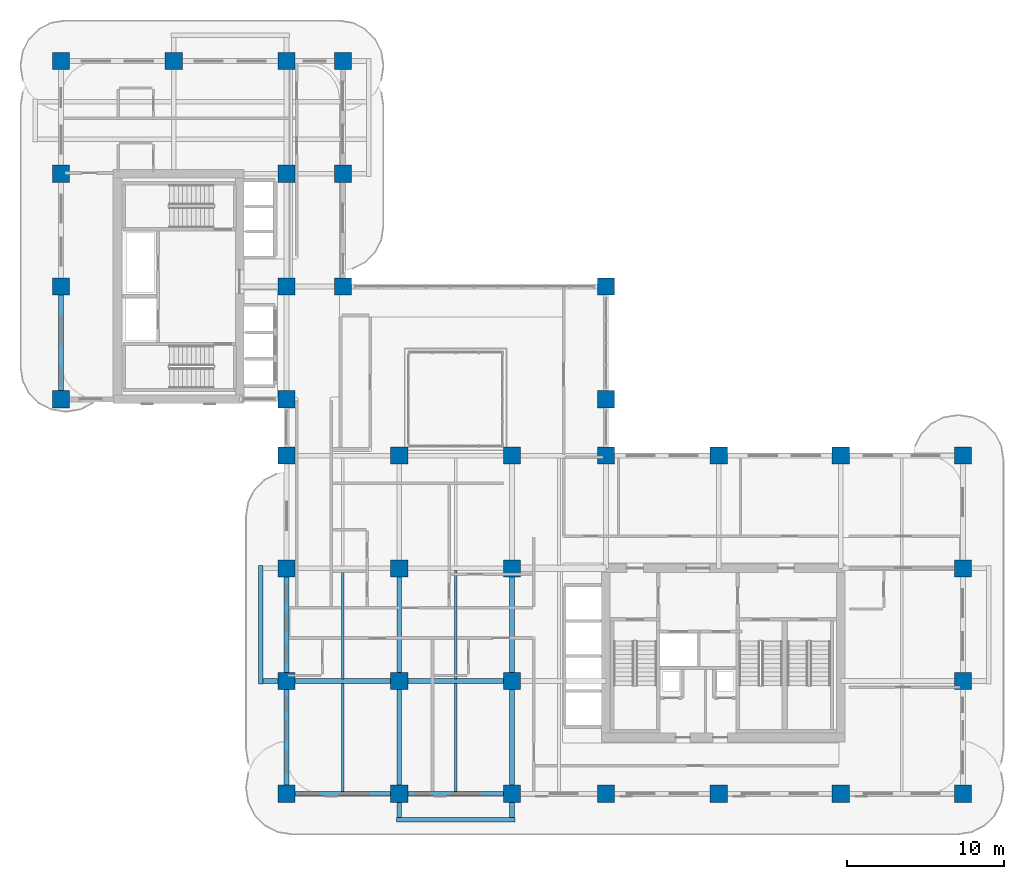
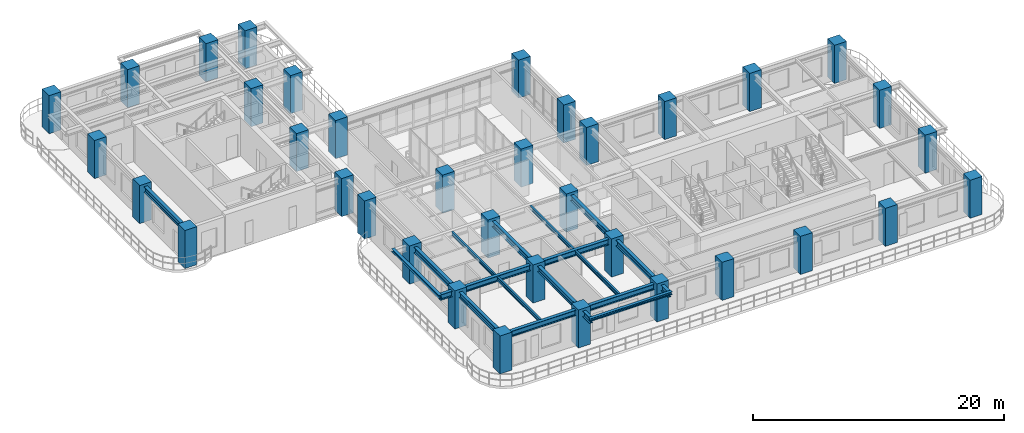
# One storey, part 1 of 22: 36 columns, 17 beams.
"""IFC4 building model written with IfcOpenShell, lengths in metres."""

from ifc_helpers import new_model, si_unit, derived_unit, direction, frame, origin, origin_2d, place, context, subcontext, project, spatial, rectangle, i_section, extrude, source, transform, mapped, material, material_profile, profile_set, type_object, type_shapes, element, save


model = new_model("IFC4")

# Units and contexts
model_context = context("Model", 3, precision=1e-05, world=origin(), true_north=direction((0.0, 1.0)))
body_context = subcontext(model_context, "Body", "Model", "MODEL_VIEW")
ifc_project = project(units=[si_unit("LENGTHUNIT", "METRE"), si_unit("AREAUNIT", "SQUARE_METRE"), si_unit("VOLUMEUNIT", "CUBIC_METRE"), si_unit("PLANEANGLEUNIT", "RADIAN"), si_unit("MASSUNIT", "GRAM", prefix="KILO"), si_unit("THERMODYNAMICTEMPERATUREUNIT", "KELVIN"), si_unit("POWERUNIT", "WATT"), derived_unit("THERMALTRANSMITTANCEUNIT", [(si_unit("POWERUNIT", "WATT"), 1), (si_unit("AREAUNIT", "SQUARE_METRE"), -1), (si_unit("THERMODYNAMICTEMPERATUREUNIT", "KELVIN"), -1)])], contexts=[model_context])

# Site, building, storey
site_placement = place(None, origin())
site = spatial("IfcSite", under=ifc_project, at=site_placement, CompositionType="ELEMENT")
building_placement = place(site_placement, origin())
building = spatial("IfcBuilding", under=site, at=building_placement, Name="Zahravan Archway Hotel and Residences", CompositionType="ELEMENT")
storey_placement = place(building_placement, frame((0.0, 0.0, 84.199951171875)))
storey = spatial("IfcBuildingStorey", under=building, at=storey_placement, Name="L20", CompositionType="ELEMENT", Elevation=84.199951171875)

# Columns
ifc_material_1 = material(Name="Concrete C70/85", Category="concrete")
ifc_material_profile_1 = material_profile(ifc_material_1, rectangle(XDim=1.10009765625, YDim=1.10009765625, at=origin_2d()), Name="RC 1100x1100", Category="concrete")
ifc_profile_set_1 = profile_set([ifc_material_profile_1], Name="Concrete C70/85")
column_type = type_object("IfcColumnType", Name="COL-RC-1100", PredefinedType="COLUMN", material=ifc_profile_set_1)
shared_shape_1 = source(origin(), body_context, "Body", "SweptSolid", [
    extrude(rectangle(XDim=1.10009765625, YDim=1.10009765625, at=origin_2d()), origin(), (0.0, 0.0, 1.0), 3.699951171875),
])
for number, where, z_axis, x_axis, name in (
    (1, (0.0, 25.199951171875, 0.0), (0.0, 0.0, 1.0), (1.0, 0.0, 0.0), "L20 Column 1-E"),
    (2, (0.0, 32.39990234375, 0.0), (0.0, 0.0, 1.0), (1.0, 0.0, 0.0), "L20 Column 1-F"),
    (3, (0.0, 39.60009765625, 0.0), (0.0, 0.0, 1.0), (1.0, 0.0, 0.0), "L20 Column 1-G"),
    (4, (0.0, 46.800048828125, 0.0), (0.0, 0.0, 1.0), (1.0, 0.0, 0.0), "L20 Column 1-H"),
    (5, (7.199951171875, 46.800048828125, 0.0), (0.0, 0.0, 1.0), (1.0, 0.0, 0.0), "L20 Column 2-H"),
    (6, (14.39990234375, 0.0, 0.0), (0.0, 0.0, 1.0), (1.0, 0.0, 0.0), "L20 Column 3-A"),
    (7, (14.39990234375, 7.199951171875, 0.0), (0.0, 0.0, 1.0), (1.0, 0.0, 0.0), "L20 Column 3-B"),
    (8, (14.39990234375, 14.39990234375, 0.0), (0.0, 0.0, 1.0), (1.0, 0.0, 0.0), "L20 Column 3-C"),
    (9, (14.39990234375, 21.60009765625, 0.0), (0.0, 0.0, 1.0), (1.0, 0.0, 0.0), "L20 Column 3-D"),
    (10, (14.39990234375, 25.199951171875, 0.0), (0.0, 0.0, 1.0), (1.0, 0.0, 0.0), "L20 Column 3-E"),
    (11, (14.39990234375, 32.39990234375, 0.0), (0.0, 0.0, 1.0), (1.0, 0.0, 0.0), "L20 Column 3-F"),
    (12, (14.39990234375, 39.60009765625, 0.0), (0.0, 0.0, 1.0), (1.0, 0.0, 0.0), "L20 Column 3-G"),
    (13, (14.39990234375, 46.800048828125, 0.0), (0.0, 0.0, 1.0), (1.0, 0.0, 0.0), "L20 Column 3-H"),
    (14, (21.60009765625, 0.0, 0.0), (0.0, 0.0, 1.0), (1.0, 0.0, 0.0), "L20 Column 4-A"),
    (15, (21.60009765625, 7.199951171875, 0.0), (0.0, 0.0, 1.0), (1.0, 0.0, 0.0), "L20 Column 4-B"),
    (16, (21.60009765625, 14.39990234375, 0.0), (0.0, 0.0, 1.0), (1.0, 0.0, 0.0), "L20 Column 4-C"),
    (17, (21.60009765625, 21.60009765625, 0.0), (0.0, 0.0, 1.0), (1.0, 0.0, 0.0), "L20 Column 4-D"),
    (18, (28.800048828125, 0.0, 0.0), (0.0, 0.0, 1.0), (1.0, 0.0, 0.0), "L20 Column 5-A"),
    (19, (28.800048828125, 7.199951171875, 0.0), (0.0, 0.0, 1.0), (1.0, 0.0, 0.0), "L20 Column 5-B"),
    (20, (28.800048828125, 14.39990234375, 0.0), (0.0, 0.0, 1.0), (1.0, 0.0, 0.0), "L20 Column 5-C"),
    (21, (28.800048828125, 21.60009765625, 0.0), (0.0, 0.0, 1.0), (1.0, 0.0, 0.0), "L20 Column 5-D"),
    (22, (34.800048828125, 0.0, 0.0), (0.0, 0.0, 1.0), (1.0, 0.0, 0.0), "L20 Column 6-A"),
    (23, (34.800048828125, 21.60009765625, 0.0), (0.0, 0.0, 1.0), (1.0, 0.0, 0.0), "L20 Column 6-D"),
    (24, (34.800048828125, 25.199951171875, 0.0), (0.0, 0.0, 1.0), (1.0, 0.0, 0.0), "L20 Column 6-E"),
    (25, (34.800048828125, 32.39990234375, 0.0), (0.0, 0.0, 1.0), (1.0, 0.0, 0.0), "L20 Column 6-F"),
    (26, (42.0, 0.0, 0.0), (0.0, 0.0, 1.0), (1.0, 0.0, 0.0), "L20 Column 7-A"),
    (27, (42.0, 21.60009765625, 0.0), (0.0, 0.0, 1.0), (1.0, 0.0, 0.0), "L20 Column 7-D"),
    (28, (49.800048828125, 0.0, 0.0), (0.0, 0.0, 1.0), (1.0, 0.0, 0.0), "L20 Column 8-A"),
    (29, (49.800048828125, 21.60009765625, 0.0), (0.0, 0.0, 1.0), (1.0, 0.0, 0.0), "L20 Column 8-D"),
    (30, (57.60009765625, 0.0, 0.0), (0.0, 0.0, 1.0), (1.0, 0.0, 0.0), "L20 Column 9-A"),
    (31, (57.60009765625, 7.199951171875, 0.0), (0.0, 0.0, 1.0), (1.0, 0.0, 0.0), "L20 Column 9-B"),
    (32, (57.60009765625, 14.39990234375, 0.0), (0.0, 0.0, 1.0), (1.0, 0.0, 0.0), "L20 Column 9-C"),
    (33, (57.60009765625, 21.60009765625, 0.0), (0.0, 0.0, 1.0), (1.0, 0.0, 0.0), "L20 Column 9-D"),
    (34, (18.0, 32.39990234375, 0.0), (0.0, 0.0, 1.0), (1.0, 0.0, 0.0), "L20 Column 3B-F"),
    (35, (18.0, 39.60009765625, 0.0), (0.0, 0.0, 1.0), (1.0, 0.0, 0.0), "L20 Column 3B-G"),
    (36, (18.0, 46.800048828125, 0.0), (0.0, 0.0, 1.0), (1.0, 0.0, 0.0), "L20 Column 3B-H"),
):
    element("IfcColumn", number, at=place(storey_placement, frame(where, z_axis=z_axis, x_axis=x_axis)), inside=storey, type_object=column_type, Name=name, PredefinedType="COLUMN", context=body_context, shape_type="MappedRepresentation", body=[
        mapped(shared_shape_1, transform((0.0, 0.0, 0.0), scale=1.0)),
    ])

# Beams
ifc_material_2 = material(Name="Structural Steel S355JR", Category="steel")
ifc_material_profile_2 = material_profile(ifc_material_2, i_section(OverallWidth=0.280029296875, OverallDepth=0.280029296875, WebThickness=0.010498046875, FlangeThickness=0.01806640625, FilletRadius=0.02392578125, at=origin_2d()), Name="HEB 280", Category="steel")
ifc_profile_set_2 = profile_set([ifc_material_profile_2], Name="Structural Steel S355JR")
beam_type_1 = type_object("IfcBeamType", Name="BM-SPN-HEB280", PredefinedType="SPANDREL", material=ifc_profile_set_2)
shared_shape_2 = source(origin(), body_context, "Body", "SweptSolid", [
    extrude(i_section(OverallWidth=0.280029296875, OverallDepth=0.280029296875, WebThickness=0.010498046875, FlangeThickness=0.01806640625, FilletRadius=0.02392578125, at=origin_2d()), origin(), (0.0, 0.0, 1.0), 7.56005859375),
])
type_shapes(beam_type_1, [shared_shape_2])
for number, where, z_axis, x_axis, name in (
    (37, (12.75, 7.02001953125, 3.31005859375), (0.0, 1.0, 0.0), (-1.0, 0.0, 0.0), "L21 WA Balcony Edge Spandrel"),
    (38, (21.419921875, -1.64990234375, 3.31005859375), (1.0, 0.0, 0.0), (0.0, 1.0, 0.0), "L21 SA Balcony Edge Spandrel"),
):
    element("IfcBeam", number, at=place(storey_placement, frame(where, z_axis=z_axis, x_axis=x_axis)), inside=storey, type_object=beam_type_1, Name=name, PredefinedType="SPANDREL", context=body_context, shape_type="MappedRepresentation", body=[
        mapped(shared_shape_2, transform((0.0, 0.0, 0.0), scale=1.0)),
    ])
ifc_material_profile_3 = material_profile(ifc_material_2, i_section(OverallWidth=0.300048828125, OverallDepth=0.550048828125, WebThickness=0.014892578125, FlangeThickness=0.029052734375, FilletRadius=0.027099609375, at=origin_2d()), Name="HEB 550", Category="steel")
ifc_profile_set_3 = profile_set([ifc_material_profile_3], Name="Structural Steel S355JR")
beam_type_2 = type_object("IfcBeamType", Name="BM-PRI-HEB550", PredefinedType="BEAM", material=ifc_profile_set_3)
shared_shape_3 = source(origin(), body_context, "Body", "SweptSolid", [
    extrude(i_section(OverallWidth=0.300048828125, OverallDepth=0.550048828125, WebThickness=0.014892578125, FlangeThickness=0.029052734375, FilletRadius=0.027099609375, at=origin_2d()), origin(), (0.0, 0.0, 1.0), 7.2001953125),
])
type_shapes(beam_type_2, [shared_shape_3])
beam_1_placement = place(storey_placement, frame((14.39990234375, 0.0, 3.175048828125), z_axis=(1.0, 0.0, 0.0), x_axis=(0.0, 1.0, 0.0)))
element("IfcBeam", 39, at=beam_1_placement, inside=storey, type_object=beam_type_2, Name="L20 Primary Girder EW-01", PredefinedType="BEAM", context=body_context, shape_type="MappedRepresentation", body=[
    mapped(shared_shape_3, transform((0.0, 0.0, 0.0), scale=1.0)),
])
shared_shape_4 = source(origin(), body_context, "Body", "SweptSolid", [
    extrude(i_section(OverallWidth=0.300048828125, OverallDepth=0.550048828125, WebThickness=0.014892578125, FlangeThickness=0.029052734375, FilletRadius=0.027099609375, at=origin_2d()), origin(), (0.0, 0.0, 1.0), 7.199951171875),
])
for number, where, z_axis, x_axis, name in (
    (40, (21.60009765625, 0.0, 3.175048828125), (1.0, 0.0, 0.0), (0.0, 1.0, 0.0), "L20 Primary Girder EW-02"),
    (41, (21.60009765625, 7.199951171875, 3.175048828125), (1.0, 0.0, 0.0), (0.0, 1.0, 0.0), "L20 Primary Girder EW-08"),
    (42, (0.0, 25.199951171875, 3.175048828125), (0.0, 1.0, 0.0), (-1.0, 0.0, 0.0), "L20 Primary Girder NS-28"),
    (43, (14.39990234375, 0.0, 3.175048828125), (0.0, 1.0, 0.0), (-1.0, 0.0, 0.0), "L20 Primary Girder NS-32"),
    (44, (14.39990234375, 7.199951171875, 3.175048828125), (0.0, 1.0, 0.0), (-1.0, 0.0, 0.0), "L20 Primary Girder NS-33"),
    (45, (21.60009765625, 7.199951171875, 3.175048828125), (0.0, 1.0, 0.0), (-1.0, 0.0, 0.0), "L20 Primary Girder NS-40"),
    (46, (28.800048828125, 7.199951171875, 3.175048828125), (0.0, 1.0, 0.0), (-1.0, 0.0, 0.0), "L20 Primary Girder NS-43"),
):
    element("IfcBeam", number, at=place(storey_placement, frame(where, z_axis=z_axis, x_axis=x_axis)), inside=storey, type_object=beam_type_2, Name=name, PredefinedType="BEAM", context=body_context, shape_type="MappedRepresentation", body=[
        mapped(shared_shape_4, transform((0.0, 0.0, 0.0), scale=1.0)),
    ])
shared_shape_5 = source(origin(), body_context, "Body", "SweptSolid", [
    extrude(i_section(OverallWidth=0.300048828125, OverallDepth=0.550048828125, WebThickness=0.014892578125, FlangeThickness=0.029052734375, FilletRadius=0.027099609375, at=origin_2d()), origin(), (0.0, 0.0, 1.0), 8.85009765625),
])
beam_2_placement = place(storey_placement, frame((12.75, 7.199951171875, 3.175048828125), z_axis=(1.0, 0.0, 0.0), x_axis=(0.0, 1.0, 0.0)))
element("IfcBeam", 47, at=beam_2_placement, inside=storey, type_object=beam_type_2, Name="L20 Primary Girder EW-07", PredefinedType="BEAM", context=body_context, shape_type="MappedRepresentation", body=[
    mapped(shared_shape_5, transform((0.0, 0.0, 0.0), scale=1.0)),
])
shared_shape_6 = source(origin(), body_context, "Body", "SweptSolid", [
    extrude(i_section(OverallWidth=0.300048828125, OverallDepth=0.550048828125, WebThickness=0.014892578125, FlangeThickness=0.029052734375, FilletRadius=0.027099609375, at=origin_2d()), origin(), (0.0, 0.0, 1.0), 8.849853515625),
])
for number, where, z_axis, x_axis, name in (
    (48, (21.60009765625, -1.64990234375, 3.175048828125), (0.0, 1.0, 0.0), (-1.0, 0.0, 0.0), "L20 Primary Girder NS-39"),
    (49, (28.800048828125, -1.64990234375, 3.175048828125), (0.0, 1.0, 0.0), (-1.0, 0.0, 0.0), "L20 Primary Girder NS-42"),
):
    element("IfcBeam", number, at=place(storey_placement, frame(where, z_axis=z_axis, x_axis=x_axis)), inside=storey, type_object=beam_type_2, Name=name, PredefinedType="BEAM", context=body_context, shape_type="MappedRepresentation", body=[
        mapped(shared_shape_6, transform((0.0, 0.0, 0.0), scale=1.0)),
    ])
ifc_material_profile_4 = material_profile(ifc_material_2, i_section(OverallWidth=0.169921875, OverallDepth=0.360107421875, WebThickness=0.008056640625, FlangeThickness=0.0126953125, FilletRadius=0.01806640625, at=origin_2d()), Name="IPE 360", Category="steel")
ifc_profile_set_4 = profile_set([ifc_material_profile_4], Name="Structural Steel S355JR")
beam_type_3 = type_object("IfcBeamType", Name="BM-JST-IPE360", PredefinedType="JOIST", material=ifc_profile_set_4)
shared_shape_7 = source(origin(), body_context, "Body", "SweptSolid", [
    extrude(i_section(OverallWidth=0.169921875, OverallDepth=0.360107421875, WebThickness=0.008056640625, FlangeThickness=0.0126953125, FilletRadius=0.01806640625, at=origin_2d()), origin(), (0.0, 0.0, 1.0), 6.904052734375),
])
type_shapes(beam_type_3, [shared_shape_7])
for number, where, z_axis, x_axis, name in (
    (50, (18.0, 0.14794921875, 3.27001953125), (0.0, 1.0, 0.0), (-1.0, 0.0, 0.0), "L20 Composite Floor Joist 01"),
    (51, (25.199951171875, 0.14794921875, 3.27001953125), (0.0, 1.0, 0.0), (-1.0, 0.0, 0.0), "L20 Composite Floor Joist 02"),
    (52, (18.0, 7.347900390625, 3.27001953125), (0.0, 1.0, 0.0), (-1.0, 0.0, 0.0), "L20 Composite Floor Joist 05"),
    (53, (25.199951171875, 7.347900390625, 3.27001953125), (0.0, 1.0, 0.0), (-1.0, 0.0, 0.0), "L20 Composite Floor Joist 06"),
):
    element("IfcBeam", number, at=place(storey_placement, frame(where, z_axis=z_axis, x_axis=x_axis)), inside=storey, type_object=beam_type_3, Name=name, PredefinedType="JOIST", context=body_context, shape_type="MappedRepresentation", body=[
        mapped(shared_shape_7, transform((0.0, 0.0, 0.0), scale=1.0)),
    ])

save(model, "model.ifc")
